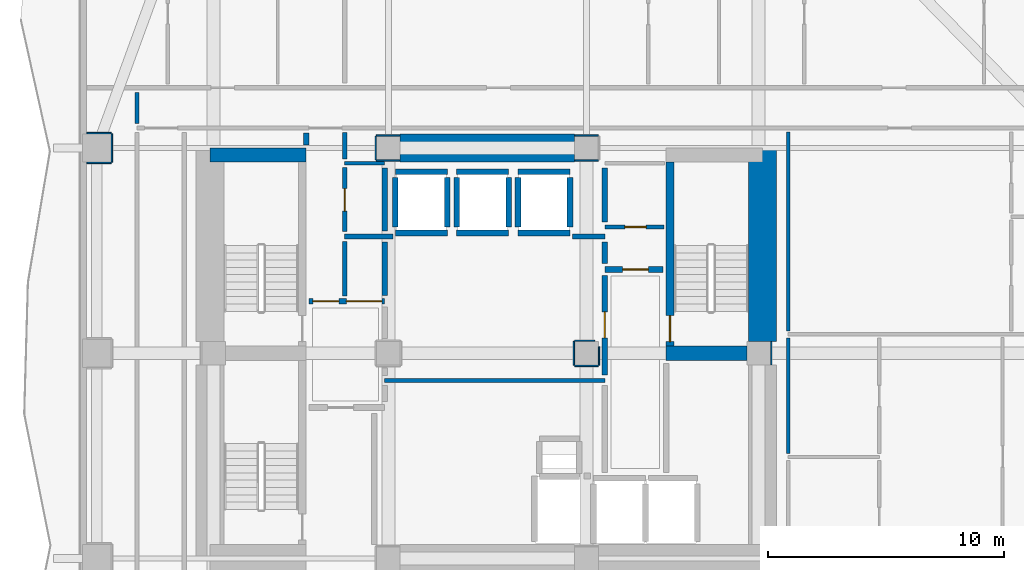
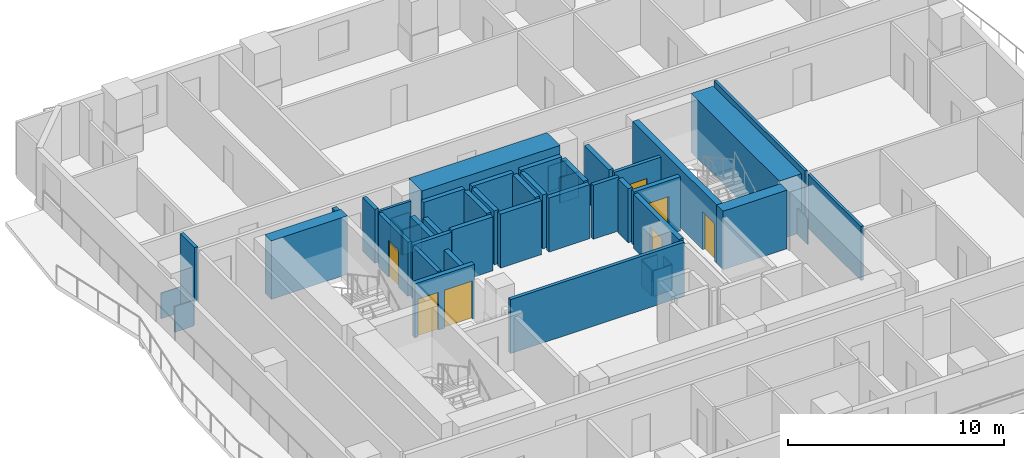
# One storey, part 4 of 11: 49 walls, 7 doors, 7 openings.
"""IFC4 building model written with IfcOpenShell, lengths in metres."""

from ifc_helpers import new_model, si_unit, direction, frame, frame_2d, origin, place, context, subcontext, project, spatial, rectangle, extrude, material, layer, layer_set, type_object, element, fill, save


model = new_model("IFC4")

# Units and contexts
model_context = context("Model", 3, precision=1e-05, world=origin(), true_north=direction((0.0, 1.0)))
body_context = subcontext(model_context, "Body", "Model", "MODEL_VIEW")
ifc_project = project(units=[si_unit("LENGTHUNIT", "METRE"), si_unit("AREAUNIT", "SQUARE_METRE"), si_unit("VOLUMEUNIT", "CUBIC_METRE"), si_unit("PLANEANGLEUNIT", "RADIAN"), si_unit("MASSUNIT", "GRAM", prefix="KILO")], contexts=[model_context])

# Site, building, storey
site_placement = place(None, origin())
site = spatial("IfcSite", under=ifc_project, at=site_placement, CompositionType="ELEMENT")
building_placement = place(site_placement, origin())
building = spatial("IfcBuilding", under=site, at=building_placement, Name="Solanera Arch Residences", CompositionType="ELEMENT")
storey_placement = place(building_placement, frame((0.0, 0.0, 65.159912109375)))
storey = spatial("IfcBuildingStorey", under=building, at=storey_placement, Name="L18", CompositionType="ELEMENT", Elevation=65.159912109375)

# Walls
ifc_material_1 = material(Name="Fire-Rated Gypsum Stud Partition", Category="gypsum")
ifc_layer_1 = layer(ifc_material_1, 0.06005859375)
ifc_layer_set_1 = layer_set([ifc_layer_1], Name="Fire-Rated Gypsum Stud Partition")
wall_type_1 = type_object("IfcWallType", Name="Column Acoustic Furring Wall 60", PredefinedType="PARTITIONING", material=ifc_layer_set_1)
for number, where, z_axis, x_axis, name in (
    (1, (20.300048828125, 38.867919921875, 0.0), (0.0, 0.0, 1.0), (1.0, 0.0, 0.0), "L18 Column Furring 3S"),
    (2, (20.300048828125, 39.931884765625, 0.0), (0.0, 0.0, 1.0), (1.0, 0.0, 0.0), "L18 Column Furring 3N"),
):
    element("IfcWall", number, at=place(storey_placement, frame(where, z_axis=z_axis, x_axis=x_axis)), inside=storey, type_object=wall_type_1, Name=name, PredefinedType="PARTITIONING", context=body_context, shape_type="SweptSolid", body=[
        extrude(rectangle(XDim=0.989990234375, YDim=0.06005859375, at=frame_2d((0.4951171875, 0.0))), origin(), (0.0, 0.0, 1.0), 1.4501953125),
    ])
wall_1_placement = place(storey_placement, frame((20.26806640625, 38.89990234375, 0.0), z_axis=(0.0, 0.0, 1.0), x_axis=(0.0, 1.0, 0.0)))
element("IfcWall", 3, at=wall_1_placement, inside=storey, type_object=wall_type_1, Name="L18 Column Furring 3W", PredefinedType="PARTITIONING", context=body_context, shape_type="SweptSolid", body=[
    extrude(rectangle(XDim=1.0, YDim=0.06005859375, at=frame_2d((0.5, 0.0))), origin(), (0.0, 0.0, 1.0), 1.4501953125),
])
for number, where, z_axis, x_axis, name in (
    (4, (28.7099609375, 38.867919921875, 0.0), (0.0, 0.0, 1.0), (1.0, 0.0, 0.0), "L18 Column Furring 4S"),
    (5, (28.7099609375, 39.931884765625, 0.0), (0.0, 0.0, 1.0), (1.0, 0.0, 0.0), "L18 Column Furring 4N"),
):
    element("IfcWall", number, at=place(storey_placement, frame(where, z_axis=z_axis, x_axis=x_axis)), inside=storey, type_object=wall_type_1, Name=name, PredefinedType="PARTITIONING", context=body_context, shape_type="SweptSolid", body=[
        extrude(rectangle(XDim=0.989990234375, YDim=0.06005859375, at=frame_2d((0.4951171875, 0.0))), origin(), (0.0, 0.0, 1.0), 1.4501953125),
    ])
wall_2_placement = place(storey_placement, frame((37.031982421875, 30.2099609375, 0.0), z_axis=(0.0, 0.0, 1.0), x_axis=(0.0, 1.0, 0.0)))
element("IfcWall", 6, at=wall_2_placement, inside=storey, type_object=wall_type_1, Name="L18 Column Furring 6E", PredefinedType="PARTITIONING", context=body_context, shape_type="SweptSolid", body=[
    extrude(rectangle(XDim=0.97998046875, YDim=0.06005859375, at=frame_2d((0.489990234375, 0.0))), origin(), (0.0, 0.0, 1.0), 1.4501953125),
])
wall_3_placement = place(storey_placement, frame((28.699951171875, 30.16796875, 0.0), z_axis=(0.0, 0.0, 1.0), x_axis=(1.0, 0.0, 0.0)))
element("IfcWall", 7, at=wall_3_placement, inside=storey, type_object=wall_type_1, Name="L18 Column Furring 8S", PredefinedType="PARTITIONING", context=body_context, shape_type="SweptSolid", body=[
    extrude(rectangle(XDim=1.0, YDim=0.06005859375, at=frame_2d((0.5, 0.0))), origin(), (0.0, 0.0, 1.0), 1.4501953125),
])
wall_4_placement = place(storey_placement, frame((28.699951171875, 31.23193359375, 0.0), z_axis=(0.0, 0.0, 1.0), x_axis=(1.0, 0.0, 0.0)))
element("IfcWall", 8, at=wall_4_placement, inside=storey, type_object=wall_type_1, Name="L18 Column Furring 8N", PredefinedType="PARTITIONING", context=body_context, shape_type="SweptSolid", body=[
    extrude(rectangle(XDim=0.841064453125, YDim=0.06005859375, at=frame_2d((0.42041015625, 0.0))), origin(), (0.0, 0.0, 1.0), 1.4501953125),
])
wall_5_placement = place(storey_placement, frame((28.66796875, 30.199951171875, 0.0), z_axis=(0.0, 0.0, 1.0), x_axis=(0.0, 1.0, 0.0)))
element("IfcWall", 9, at=wall_5_placement, inside=storey, type_object=wall_type_1, Name="L18 Column Furring 8W", PredefinedType="PARTITIONING", context=body_context, shape_type="SweptSolid", body=[
    extrude(rectangle(XDim=1.0, YDim=0.06005859375, at=frame_2d((0.5, 0.0))), origin(), (0.0, 0.0, 1.0), 1.4501953125),
])
wall_6_placement = place(storey_placement, frame((29.73193359375, 30.199951171875, 0.0), z_axis=(0.0, 0.0, 1.0), x_axis=(0.0, 1.0, 0.0)))
element("IfcWall", 10, at=wall_6_placement, inside=storey, type_object=wall_type_1, Name="L18 Column Furring 8E", PredefinedType="PARTITIONING", context=body_context, shape_type="SweptSolid", body=[
    extrude(rectangle(XDim=0.77197265625, YDim=0.06005859375, at=frame_2d((0.385986328125, 0.0))), origin(), (0.0, 0.0, 1.0), 1.4501953125),
])
for number, where, z_axis, x_axis, name in (
    (11, (8.030029296875, 38.76806640625, 0.0), (0.0, 0.0, 1.0), (1.0, 0.0, 0.0), "L18 Column Furring 21S"),
    (12, (8.030029296875, 40.031982421875, 0.0), (0.0, 0.0, 1.0), (1.0, 0.0, 0.0), "L18 Column Furring 21N"),
):
    element("IfcWall", number, at=place(storey_placement, frame(where, z_axis=z_axis, x_axis=x_axis)), inside=storey, type_object=wall_type_1, Name=name, PredefinedType="PARTITIONING", context=body_context, shape_type="SweptSolid", body=[
        extrude(rectangle(XDim=1.02001953125, YDim=0.06005859375, at=frame_2d((0.510009765625, 0.0))), origin(), (0.0, 0.0, 1.0), 1.4501953125),
    ])
wall_7_placement = place(storey_placement, frame((9.08203125, 38.800048828125, 0.0), z_axis=(0.0, 0.0, 1.0), x_axis=(0.0, 1.0, 0.0)))
element("IfcWall", 13, at=wall_7_placement, inside=storey, type_object=wall_type_1, Name="L18 Column Furring 21E", PredefinedType="PARTITIONING", context=body_context, shape_type="SweptSolid", body=[
    extrude(rectangle(XDim=1.199951171875, YDim=0.06005859375, at=frame_2d((0.60009765625, 0.0))), origin(), (0.0, 0.0, 1.0), 1.4501953125),
])
ifc_material_2 = material(Name="Concrete C55/67 (f'c = 60 MPa)", Category="concrete")
ifc_layer_2 = layer(ifc_material_2, 1.199951171875)
ifc_layer_set_2 = layer_set([ifc_layer_2], Name="Concrete C55/67 (f'c = 60 MPa)")
wall_type_2 = type_object("IfcWallType", Name="Core Shear Wall CW-1200", PredefinedType="SHEAR", material=ifc_layer_set_2)
wall_8_placement = place(storey_placement, frame((36.659912109375, 31.205078125, 0.0), z_axis=(0.0, 0.0, 1.0), x_axis=(0.0, 1.0, 0.0)))
element("IfcWall", 14, at=wall_8_placement, inside=storey, type_object=wall_type_2, Name="L18 East Core North Shear Wall", PredefinedType="SHEAR", context=body_context, shape_type="SweptSolid", body=[
    extrude(rectangle(XDim=8.19482421875, YDim=1.199951171875, at=frame_2d((4.097412109375, 0.0))), origin(), (0.0, 0.0, 1.0), 3.320068359375),
])
wall_9_placement = place(storey_placement, frame((21.304931640625, 39.39990234375, 0.0), z_axis=(0.0, 0.0, 1.0), x_axis=(1.0, 0.0, 0.0)))
element("IfcWall", 15, at=wall_9_placement, inside=storey, type_object=wall_type_2, Name="L18 Central North Core Shear Wall", PredefinedType="SHEAR", context=body_context, shape_type="SweptSolid", body=[
    extrude(rectangle(XDim=7.39013671875, YDim=1.199951171875, at=frame_2d((3.695068359375, 0.0))), origin(), (0.0, 0.0, 1.0), 3.320068359375),
])

# Wall, opening, door
ifc_material_3 = material(Name="Concrete C40/50 (f'c = 45 MPa)", Category="concrete")
ifc_layer_3 = layer(ifc_material_3, 0.320068359375)
ifc_layer_set_3 = layer_set([ifc_layer_3], Name="Concrete C40/50 (f'c = 45 MPa)")
wall_type_3 = type_object("IfcWallType", Name="Core Shear Wall CW-320", PredefinedType="SHEAR", material=ifc_layer_set_3)
wall_10_placement = place(storey_placement, frame((32.739990234375, 31.0, 0.0), z_axis=(0.0, 0.0, 1.0), x_axis=(0.0, 1.0, 0.0)))
wall_10 = element("IfcWall", 16, at=wall_10_placement, inside=storey, type_object=wall_type_3, Name="L18 Stair ST-T2 West Shear Wall", PredefinedType="SHEAR", context=body_context, shape_type="SweptSolid", body=[
    extrude(rectangle(XDim=7.800048828125, YDim=0.320068359375, at=frame_2d((3.89990234375, 0.0))), origin(), (0.0, 0.0, 1.0), 3.320068359375),
])
opening_1_placement = place(wall_10_placement, frame((0.18994140625, 0.0, 0.0)))
opening_1 = element("IfcOpeningElement", 17, at=opening_1_placement, cuts=wall_10, Name="Opening DF-01", PredefinedType="OPENING", context=body_context, shape_type="SweptSolid", body=[
    extrude(rectangle(XDim=1.10009765625, YDim=2.14990234375, at=frame_2d((0.550048828125, 1.074951171875))), frame((0.0, 0.169921875, 0.0), z_axis=(0.0, -1.0, 0.0), x_axis=(1.0, 0.0, 0.0)), (0.0, 0.0, 1.0), 0.3401),
])
ifc_material_4 = material(Name="Fire-Rated Architectural Hardwood", Category="wood")
door_type_1 = type_object("IfcDoorType", Name="Stair Exit Fire Door DF-01", OperationType="NOTDEFINED", PredefinedType="DOOR", material=ifc_material_4)
door_1_placement = place(opening_1_placement, origin())
door_1 = element("IfcDoor", 18, at=door_1_placement, inside=storey, type_object=door_type_1, Name="DR-L18-STAIR-ST-T2", OperationType="SINGLE_SWING_RIGHT", OverallHeight=2.14990234375, OverallWidth=1.10009765625, PredefinedType="DOOR", context=body_context, shape_type="SweptSolid", body=[
    extrude(rectangle(XDim=1.10009765625, YDim=2.14990234375, at=frame_2d((0.550048828125, 1.074951171875))), frame((0.0, 0.02490234375, 0.0), z_axis=(0.0, -1.0, 0.0), x_axis=(1.0, 0.0, 0.0)), (0.0, 0.0, 1.0), 0.050048828125),
])
fill(opening_1, door_1)

# Walls
ifc_material_5 = material(Name="Concrete C40/50 (f'c = 45 MPa)", Category="concrete")
ifc_layer_4 = layer(ifc_material_5, 0.60009765625)
ifc_layer_set_4 = layer_set([ifc_layer_4], Name="Concrete C40/50 (f'c = 45 MPa)")
wall_type_4 = type_object("IfcWallType", Name="Core Shear Wall CW-600", PredefinedType="SHEAR", material=ifc_layer_set_4)
wall_11_placement = place(storey_placement, frame((13.239990234375, 39.10009765625, 0.0), z_axis=(0.0, 0.0, 1.0), x_axis=(1.0, 0.0, 0.0)))
element("IfcWall", 19, at=wall_11_placement, inside=storey, type_object=wall_type_4, Name="L18 North-West Core Shear Wall", PredefinedType="SHEAR", context=body_context, shape_type="SweptSolid", body=[
    extrude(rectangle(XDim=4.080078125, YDim=0.60009765625, at=frame_2d((2.0400390625, 0.0))), origin(), (0.0, 0.0, 1.0), 3.320068359375),
])
wall_12_placement = place(storey_placement, frame((32.580078125, 30.699951171875, 0.0), z_axis=(0.0, 0.0, 1.0), x_axis=(1.0, 0.0, 0.0)))
element("IfcWall", 20, at=wall_12_placement, inside=storey, type_object=wall_type_4, Name="L18 East Stair Far-Landing Shear Wall", PredefinedType="SHEAR", context=body_context, shape_type="SweptSolid", body=[
    extrude(rectangle(XDim=3.4150390625, YDim=0.60009765625, at=frame_2d((1.70751953125, 0.0))), origin(), (0.0, 0.0, 1.0), 3.320068359375),
])
ifc_material_6 = material(Name="Autoclaved Aerated Concrete Blockwork", Category="masonry")
ifc_layer_5 = layer(ifc_material_6, 0.179931640625)
ifc_layer_set_5 = layer_set([ifc_layer_5], Name="Autoclaved Aerated Concrete Blockwork")
wall_type_5 = type_object("IfcWallType", Name="Corridor Fire Partition 180", PredefinedType="PARTITIONING", material=ifc_layer_set_5)
wall_13_placement = place(storey_placement, frame((20.64990234375, 29.550048828125, 0.0), z_axis=(0.0, 0.0, 1.0), x_axis=(1.0, 0.0, 0.0)))
element("IfcWall", 21, at=wall_13_placement, inside=storey, type_object=wall_type_5, Name="L18 Interior Partition H8", PredefinedType="PARTITIONING", context=body_context, shape_type="SweptSolid", body=[
    extrude(rectangle(XDim=9.3251953125, YDim=0.179931640625, at=frame_2d((4.66259765625, 0.0))), origin(), (0.0, 0.0, 1.0), 3.06005859375),
])

# Wall, opening, door
wall_14_placement = place(storey_placement, frame((29.97509765625, 36.050048828125, 0.0), z_axis=(0.0, 0.0, 1.0), x_axis=(1.0, 0.0, 0.0)))
wall_14 = element("IfcWall", 22, at=wall_14_placement, inside=storey, type_object=wall_type_5, Name="L18 Interior Partition H9", PredefinedType="PARTITIONING", context=body_context, shape_type="SweptSolid", body=[
    extrude(rectangle(XDim=2.5048828125, YDim=0.179931640625, at=frame_2d((1.25244140625, 0.0))), origin(), (0.0, 0.0, 1.0), 3.06005859375),
])
opening_2_placement = place(wall_14_placement, frame((0.85205078125, 0.0, 0.0)))
opening_2 = element("IfcOpeningElement", 23, at=opening_2_placement, cuts=wall_14, Name="Opening DI-02", PredefinedType="OPENING", context=body_context, shape_type="SweptSolid", body=[
    extrude(rectangle(XDim=0.89990234375, YDim=2.10009765625, at=frame_2d((0.449951171875, 1.050048828125))), frame((0.0, 0.10009765625, 0.0), z_axis=(0.0, -1.0, 0.0), x_axis=(1.0, 0.0, 0.0)), (0.0, 0.0, 1.0), 0.1999),
])
ifc_material_7 = material(Name="Fire-Rated Architectural Hardwood", Category="wood")
door_type_2 = type_object("IfcDoorType", Name="Suite Room Swing Door DI-02", OperationType="NOTDEFINED", PredefinedType="DOOR", material=ifc_material_7)
door_2_placement = place(opening_2_placement, origin())
door_2 = element("IfcDoor", 24, at=door_2_placement, inside=storey, type_object=door_type_2, Name="DR-L18-IN-013", OperationType="SINGLE_SWING_LEFT", OverallHeight=2.10009765625, OverallWidth=0.89990234375, PredefinedType="DOOR", context=body_context, shape_type="SweptSolid", body=[
    extrude(rectangle(XDim=0.89990234375, YDim=2.10009765625, at=frame_2d((0.449951171875, 1.050048828125))), frame((0.0, 0.02490234375, 0.0), z_axis=(0.0, -1.0, 0.0), x_axis=(1.0, 0.0, 0.0)), (0.0, 0.0, 1.0), 0.050048828125),
])
fill(opening_2, door_2)

# Walls
wall_15_placement = place(storey_placement, frame((10.14990234375, 40.43798828125, 0.0), z_axis=(0.0, 0.0, 1.0), x_axis=(0.0, 1.0, 0.0)))
element("IfcWall", 25, at=wall_15_placement, inside=storey, type_object=wall_type_5, Name="L18 Interior Partition V9 3", PredefinedType="PARTITIONING", context=body_context, shape_type="SweptSolid", body=[
    extrude(rectangle(XDim=1.323974609375, YDim=0.179931640625, at=frame_2d((0.662109375, 0.0))), origin(), (0.0, 0.0, 1.0), 3.06005859375),
])
ifc_material_8 = material(Name="Autoclaved Aerated Concrete Blockwork", Category="masonry")
ifc_layer_6 = layer(ifc_material_8, 0.199951171875)
ifc_layer_set_6 = layer_set([ifc_layer_6], Name="Autoclaved Aerated Concrete Blockwork")
wall_type_6 = type_object("IfcWallType", Name="Party Wall Acoustic 200", PredefinedType="PARTITIONING", material=ifc_layer_set_6)
wall_16_placement = place(storey_placement, frame((18.949951171875, 35.64990234375, 0.0), z_axis=(0.0, 0.0, 1.0), x_axis=(1.0, 0.0, 0.0)))
element("IfcWall", 26, at=wall_16_placement, inside=storey, type_object=wall_type_6, Name="L18 Interior Partition H6 1", PredefinedType="PARTITIONING", context=body_context, shape_type="SweptSolid", body=[
    extrude(rectangle(XDim=2.046142578125, YDim=0.199951171875, at=frame_2d((1.02294921875, 0.0))), origin(), (0.0, 0.0, 1.0), 3.06005859375),
])
wall_17_placement = place(storey_placement, frame((28.60400390625, 35.64990234375, 0.0), z_axis=(0.0, 0.0, 1.0), x_axis=(1.0, 0.0, 0.0)))
element("IfcWall", 27, at=wall_17_placement, inside=storey, type_object=wall_type_6, Name="L18 Interior Partition H6 2", PredefinedType="PARTITIONING", context=body_context, shape_type="SweptSolid", body=[
    extrude(rectangle(XDim=1.37109375, YDim=0.199951171875, at=frame_2d((0.685546875, 0.0))), origin(), (0.0, 0.0, 1.0), 3.06005859375),
])
wall_18_placement = place(storey_placement, frame((18.949951171875, 33.1279296875, 0.0), z_axis=(0.0, 0.0, 1.0), x_axis=(0.0, 1.0, 0.0)))
element("IfcWall", 28, at=wall_18_placement, inside=storey, type_object=wall_type_6, Name="L18 Interior Partition V7 1", PredefinedType="PARTITIONING", context=body_context, shape_type="SweptSolid", body=[
    extrude(rectangle(XDim=2.31396484375, YDim=0.199951171875, at=frame_2d((1.156982421875, 0.0))), origin(), (0.0, 0.0, 1.0), 3.06005859375),
])

# Wall, opening, door
wall_19_placement = place(storey_placement, frame((18.949951171875, 35.85791015625, 0.0), z_axis=(0.0, 0.0, 1.0), x_axis=(0.0, 1.0, 0.0)))
wall_19 = element("IfcWall", 29, at=wall_19_placement, inside=storey, type_object=wall_type_6, Name="L18 Interior Partition V7 2", PredefinedType="PARTITIONING", context=body_context, shape_type="SweptSolid", body=[
    extrude(rectangle(XDim=2.714111328125, YDim=0.199951171875, at=frame_2d((1.35693359375, 0.0))), origin(), (0.0, 0.0, 1.0), 3.06005859375),
])
opening_3_placement = place(wall_19_placement, frame((0.866943359375, 0.0, 0.0)))
opening_3 = element("IfcOpeningElement", 30, at=opening_3_placement, cuts=wall_19, Name="Opening DI-04", PredefinedType="OPENING", context=body_context, shape_type="SweptSolid", body=[
    extrude(rectangle(XDim=0.949951171875, YDim=2.10009765625, at=frame_2d((0.47509765625, 1.050048828125))), frame((0.0, 0.110107421875, 0.0), z_axis=(0.0, -1.0, 0.0), x_axis=(1.0, 0.0, 0.0)), (0.0, 0.0, 1.0), 0.22),
])
ifc_material_9 = material(Name="Fire-Rated Architectural Hardwood", Category="wood")
door_type_3 = type_object("IfcDoorType", Name="Accessible Restroom Door DI-04", OperationType="NOTDEFINED", PredefinedType="DOOR", material=ifc_material_9)
door_3_placement = place(opening_3_placement, origin())
door_3 = element("IfcDoor", 31, at=door_3_placement, inside=storey, type_object=door_type_3, Name="DR-L18-IN-014", OperationType="SINGLE_SWING_RIGHT", OverallHeight=2.10009765625, OverallWidth=0.949951171875, PredefinedType="DOOR", context=body_context, shape_type="SweptSolid", body=[
    extrude(rectangle(XDim=0.949951171875, YDim=2.10009765625, at=frame_2d((0.47509765625, 1.050048828125))), frame((0.0, 0.02490234375, 0.0), z_axis=(0.0, -1.0, 0.0), x_axis=(1.0, 0.0, 0.0)), (0.0, 0.0, 1.0), 0.050048828125),
])
fill(opening_3, door_3)

# Walls
wall_20_placement = place(storey_placement, frame((18.949951171875, 38.927978515625, 0.0), z_axis=(0.0, 0.0, 1.0), x_axis=(0.0, 1.0, 0.0)))
element("IfcWall", 32, at=wall_20_placement, inside=storey, type_object=wall_type_6, Name="L18 Interior Partition V7 3", PredefinedType="PARTITIONING", context=body_context, shape_type="SweptSolid", body=[
    extrude(rectangle(XDim=1.1240234375, YDim=0.199951171875, at=frame_2d((0.56201171875, 0.0))), origin(), (0.0, 0.0, 1.0), 3.06005859375),
])
ifc_material_10 = material(Name="Autoclaved Aerated Concrete Blockwork", Category="masonry")
ifc_layer_7 = layer(ifc_material_10, 0.239990234375)
ifc_layer_set_7 = layer_set([ifc_layer_7], Name="Autoclaved Aerated Concrete Blockwork")
wall_type_7 = type_object("IfcWallType", Name="Shaft Wall Fire-Rated 240", PredefinedType="PARTITIONING", material=ifc_layer_set_7)
for number, where, z_axis, x_axis, name in (
    (33, (21.10009765625, 35.800048828125, 0.0), (0.0, 0.0, 1.0), (1.0, 0.0, 0.0), "L18 Lift PL-L1 Hoistway Wall S"),
    (34, (21.10009765625, 38.39990234375, 0.0), (0.0, 0.0, 1.0), (1.0, 0.0, 0.0), "L18 Lift PL-L1 Hoistway Wall N"),
):
    element("IfcWall", number, at=place(storey_placement, frame(where, z_axis=z_axis, x_axis=x_axis)), inside=storey, type_object=wall_type_7, Name=name, PredefinedType="PARTITIONING", context=body_context, shape_type="SweptSolid", body=[
        extrude(rectangle(XDim=2.199951171875, YDim=0.239990234375, at=frame_2d((1.10009765625, 0.0))), origin(), (0.0, 0.0, 1.0), 3.06005859375),
    ])
wall_21_placement = place(storey_placement, frame((21.10009765625, 36.048095703125, 0.0), z_axis=(0.0, 0.0, 1.0), x_axis=(0.0, 1.0, 0.0)))
element("IfcWall", 35, at=wall_21_placement, inside=storey, type_object=wall_type_7, Name="L18 Lift PL-L1 Hoistway Wall W", PredefinedType="PARTITIONING", context=body_context, shape_type="SweptSolid", body=[
    extrude(rectangle(XDim=2.10400390625, YDim=0.239990234375, at=frame_2d((1.052001953125, 0.0))), origin(), (0.0, 0.0, 1.0), 2.295166015625),
])
wall_22_placement = place(storey_placement, frame((23.300048828125, 36.048095703125, 0.0), z_axis=(0.0, 0.0, 1.0), x_axis=(0.0, 1.0, 0.0)))
element("IfcWall", 36, at=wall_22_placement, inside=storey, type_object=wall_type_7, Name="L18 Lift PL-L1 Hoistway Wall E", PredefinedType="PARTITIONING", context=body_context, shape_type="SweptSolid", body=[
    extrude(rectangle(XDim=2.10400390625, YDim=0.239990234375, at=frame_2d((1.052001953125, 0.0))), origin(), (0.0, 0.0, 1.0), 3.06005859375),
])
for number, where, z_axis, x_axis, name in (
    (37, (23.699951171875, 35.800048828125, 0.0), (0.0, 0.0, 1.0), (1.0, 0.0, 0.0), "L18 Lift PL-L2 Hoistway Wall S"),
    (38, (23.699951171875, 38.39990234375, 0.0), (0.0, 0.0, 1.0), (1.0, 0.0, 0.0), "L18 Lift PL-L2 Hoistway Wall N"),
):
    element("IfcWall", number, at=place(storey_placement, frame(where, z_axis=z_axis, x_axis=x_axis)), inside=storey, type_object=wall_type_7, Name=name, PredefinedType="PARTITIONING", context=body_context, shape_type="SweptSolid", body=[
        extrude(rectangle(XDim=2.199951171875, YDim=0.239990234375, at=frame_2d((1.10009765625, 0.0))), origin(), (0.0, 0.0, 1.0), 3.06005859375),
    ])
for number, where, z_axis, x_axis, name in (
    (39, (23.699951171875, 36.048095703125, 0.0), (0.0, 0.0, 1.0), (0.0, 1.0, 0.0), "L18 Lift PL-L2 Hoistway Wall W"),
    (40, (25.89990234375, 36.048095703125, 0.0), (0.0, 0.0, 1.0), (0.0, 1.0, 0.0), "L18 Lift PL-L2 Hoistway Wall E"),
):
    element("IfcWall", number, at=place(storey_placement, frame(where, z_axis=z_axis, x_axis=x_axis)), inside=storey, type_object=wall_type_7, Name=name, PredefinedType="PARTITIONING", context=body_context, shape_type="SweptSolid", body=[
        extrude(rectangle(XDim=2.10400390625, YDim=0.239990234375, at=frame_2d((1.052001953125, 0.0))), origin(), (0.0, 0.0, 1.0), 3.06005859375),
    ])
for number, where, z_axis, x_axis, name in (
    (41, (26.300048828125, 35.800048828125, 0.0), (0.0, 0.0, 1.0), (1.0, 0.0, 0.0), "L18 Lift PL-L3 Hoistway Wall S"),
    (42, (26.300048828125, 38.39990234375, 0.0), (0.0, 0.0, 1.0), (1.0, 0.0, 0.0), "L18 Lift PL-L3 Hoistway Wall N"),
):
    element("IfcWall", number, at=place(storey_placement, frame(where, z_axis=z_axis, x_axis=x_axis)), inside=storey, type_object=wall_type_7, Name=name, PredefinedType="PARTITIONING", context=body_context, shape_type="SweptSolid", body=[
        extrude(rectangle(XDim=2.199951171875, YDim=0.239990234375, at=frame_2d((1.10009765625, 0.0))), origin(), (0.0, 0.0, 1.0), 3.06005859375),
    ])
for number, where, z_axis, x_axis, name in (
    (43, (26.300048828125, 36.048095703125, 0.0), (0.0, 0.0, 1.0), (0.0, 1.0, 0.0), "L18 Lift PL-L3 Hoistway Wall W"),
    (44, (28.5, 36.048095703125, 0.0), (0.0, 0.0, 1.0), (0.0, 1.0, 0.0), "L18 Lift PL-L3 Hoistway Wall E"),
):
    element("IfcWall", number, at=place(storey_placement, frame(where, z_axis=z_axis, x_axis=x_axis)), inside=storey, type_object=wall_type_7, Name=name, PredefinedType="PARTITIONING", context=body_context, shape_type="SweptSolid", body=[
        extrude(rectangle(XDim=2.10400390625, YDim=0.239990234375, at=frame_2d((1.052001953125, 0.0))), origin(), (0.0, 0.0, 1.0), 3.06005859375),
    ])

# Wall, openings, doors
wall_23_placement = place(storey_placement, frame((17.449951171875, 32.89990234375, 0.0), z_axis=(0.0, 0.0, 1.0), x_axis=(1.0, 0.0, 0.0)))
wall_23 = element("IfcWall", 45, at=wall_23_placement, inside=storey, type_object=wall_type_7, Name="L18 Interior Partition H4", PredefinedType="PARTITIONING", context=body_context, shape_type="SweptSolid", body=[
    extrude(rectangle(XDim=3.199951171875, YDim=0.239990234375, at=frame_2d((1.60009765625, 0.0))), origin(), (0.0, 0.0, 1.0), 3.06005859375),
])
opening_4_placement = place(wall_23_placement, frame((0.158935546875, 0.0, 0.0)))
opening_4 = element("IfcOpeningElement", 46, at=opening_4_placement, cuts=wall_23, Name="Opening DF-02", PredefinedType="OPENING", context=body_context, shape_type="SweptSolid", body=[
    extrude(rectangle(XDim=1.10009765625, YDim=2.14990234375, at=frame_2d((0.550048828125, 1.074951171875))), frame((0.0, 0.1298828125, 0.0), z_axis=(0.0, -1.0, 0.0), x_axis=(1.0, 0.0, 0.0)), (0.0, 0.0, 1.0), 0.26),
])
opening_5_placement = place(wall_23_placement, frame((1.575927734375, 0.0, 0.0)))
opening_5 = element("IfcOpeningElement", 47, at=opening_5_placement, cuts=wall_23, Name="Opening DP-01", PredefinedType="OPENING", context=body_context, shape_type="SweptSolid", body=[
    extrude(rectangle(XDim=1.5, YDim=2.14990234375, at=frame_2d((0.75, 1.074951171875))), frame((0.0, 0.1298828125, 0.0), z_axis=(0.0, -1.0, 0.0), x_axis=(1.0, 0.0, 0.0)), (0.0, 0.0, 1.0), 0.26),
])
ifc_material_11 = material(Name="Fire-Rated Architectural Hardwood", Category="wood")
door_type_4 = type_object("IfcDoorType", Name="Firefighting Lobby Fire Door DF-02", OperationType="NOTDEFINED", PredefinedType="DOOR", material=ifc_material_11)
door_4_placement = place(opening_4_placement, origin())
door_4 = element("IfcDoor", 48, at=door_4_placement, inside=storey, type_object=door_type_4, Name="DR-L18-IN-005", OperationType="SINGLE_SWING_LEFT", OverallHeight=2.14990234375, OverallWidth=1.10009765625, PredefinedType="DOOR", context=body_context, shape_type="SweptSolid", body=[
    extrude(rectangle(XDim=1.10009765625, YDim=2.14990234375, at=frame_2d((0.550048828125, 1.074951171875))), frame((0.0, 0.02490234375, 0.0), z_axis=(0.0, -1.0, 0.0), x_axis=(1.0, 0.0, 0.0)), (0.0, 0.0, 1.0), 0.050048828125),
])
fill(opening_4, door_4)
ifc_material_12 = material(Name="Fire-Rated Architectural Hardwood", Category="wood")
door_type_5 = type_object("IfcDoorType", Name="Plant Double Fire Door DP-01", OperationType="NOTDEFINED", PredefinedType="DOOR", material=ifc_material_12)
door_5_placement = place(opening_5_placement, origin())
door_5 = element("IfcDoor", 49, at=door_5_placement, inside=storey, type_object=door_type_5, Name="DR-L18-IN-012", OperationType="SINGLE_SWING_RIGHT", OverallHeight=2.14990234375, OverallWidth=1.5, PredefinedType="DOOR", context=body_context, shape_type="SweptSolid", body=[
    extrude(rectangle(XDim=1.5, YDim=2.14990234375, at=frame_2d((0.75, 1.074951171875))), frame((0.0, 0.02490234375, 0.0), z_axis=(0.0, -1.0, 0.0), x_axis=(1.0, 0.0, 0.0)), (0.0, 0.0, 1.0), 0.050048828125),
])
fill(opening_5, door_5)

# Wall, opening, door
wall_24_placement = place(storey_placement, frame((29.97509765625, 34.25, 0.0), z_axis=(0.0, 0.0, 1.0), x_axis=(1.0, 0.0, 0.0)))
wall_24 = element("IfcWall", 50, at=wall_24_placement, inside=storey, type_object=wall_type_7, Name="L18 Interior Partition H5", PredefinedType="PARTITIONING", context=body_context, shape_type="SweptSolid", body=[
    extrude(rectangle(XDim=2.474853515625, YDim=0.239990234375, at=frame_2d((1.2373046875, 0.0))), origin(), (0.0, 0.0, 1.0), 3.06005859375),
])
opening_6_placement = place(wall_24_placement, frame((0.751953125, 0.0, 0.0)))
opening_6 = element("IfcOpeningElement", 51, at=opening_6_placement, cuts=wall_24, Name="Opening DF-02", PredefinedType="OPENING", context=body_context, shape_type="SweptSolid", body=[
    extrude(rectangle(XDim=1.10009765625, YDim=2.14990234375, at=frame_2d((0.550048828125, 1.074951171875))), frame((0.0, 0.1298828125, 0.0), z_axis=(0.0, -1.0, 0.0), x_axis=(1.0, 0.0, 0.0)), (0.0, 0.0, 1.0), 0.26),
])
door_6_placement = place(opening_6_placement, origin())
door_6 = element("IfcDoor", 52, at=door_6_placement, inside=storey, type_object=door_type_4, Name="DR-L18-IN-007", OperationType="SINGLE_SWING_LEFT", OverallHeight=2.14990234375, OverallWidth=1.10009765625, PredefinedType="DOOR", context=body_context, shape_type="SweptSolid", body=[
    extrude(rectangle(XDim=1.10009765625, YDim=2.14990234375, at=frame_2d((0.550048828125, 1.074951171875))), frame((0.0, 0.02490234375, 0.0), z_axis=(0.0, -1.0, 0.0), x_axis=(1.0, 0.0, 0.0)), (0.0, 0.0, 1.0), 0.050048828125),
])
fill(opening_6, door_6)

# Walls
wall_25_placement = place(storey_placement, frame((17.320068359375, 39.530029296875, 0.0), z_axis=(0.0, 0.0, 1.0), x_axis=(0.0, 1.0, 0.0)))
element("IfcWall", 53, at=wall_25_placement, inside=storey, type_object=wall_type_7, Name="L18 Interior Partition V1", PredefinedType="PARTITIONING", context=body_context, shape_type="SweptSolid", body=[
    extrude(rectangle(XDim=0.501953125, YDim=0.239990234375, at=frame_2d((0.2509765625, 0.0))), origin(), (0.0, 0.0, 1.0), 3.06005859375),
])
wall_26_placement = place(storey_placement, frame((20.64990234375, 33.14794921875, 0.0), z_axis=(0.0, 0.0, 1.0), x_axis=(0.0, 1.0, 0.0)))
element("IfcWall", 54, at=wall_26_placement, inside=storey, type_object=wall_type_7, Name="L18 Interior Partition V3 4", PredefinedType="PARTITIONING", context=body_context, shape_type="SweptSolid", body=[
    extrude(rectangle(XDim=2.274169921875, YDim=0.239990234375, at=frame_2d((1.13720703125, 0.0))), origin(), (0.0, 0.0, 1.0), 2.295166015625),
])
wall_27_placement = place(storey_placement, frame((20.64990234375, 35.8779296875, 0.0), z_axis=(0.0, 0.0, 1.0), x_axis=(0.0, 1.0, 0.0)))
element("IfcWall", 55, at=wall_27_placement, inside=storey, type_object=wall_type_7, Name="L18 Interior Partition V3 5", PredefinedType="PARTITIONING", context=body_context, shape_type="SweptSolid", body=[
    extrude(rectangle(XDim=2.674072265625, YDim=0.239990234375, at=frame_2d((1.3369140625, 0.0))), origin(), (0.0, 0.0, 1.0), 2.295166015625),
])

# Wall, opening, door
wall_28_placement = place(storey_placement, frame((29.97509765625, 29.76806640625, 0.0), z_axis=(0.0, 0.0, 1.0), x_axis=(0.0, 1.0, 0.0)))
wall_28 = element("IfcWall", 56, at=wall_28_placement, inside=storey, type_object=wall_type_7, Name="L18 Interior Partition V4 2", PredefinedType="PARTITIONING", context=body_context, shape_type="SweptSolid", body=[
    extrude(rectangle(XDim=4.23388671875, YDim=0.239990234375, at=frame_2d((2.116943359375, 0.0))), origin(), (0.0, 0.0, 1.0), 3.06005859375),
])
opening_7_placement = place(wall_28_placement, frame((1.58203125, 0.0, 0.0)))
opening_7 = element("IfcOpeningElement", 57, at=opening_7_placement, cuts=wall_28, Name="Opening DF-02", PredefinedType="OPENING", context=body_context, shape_type="SweptSolid", body=[
    extrude(rectangle(XDim=1.10009765625, YDim=2.14990234375, at=frame_2d((0.550048828125, 1.074951171875))), frame((0.0, 0.1298828125, 0.0), z_axis=(0.0, -1.0, 0.0), x_axis=(1.0, 0.0, 0.0)), (0.0, 0.0, 1.0), 0.26),
])
door_7_placement = place(opening_7_placement, origin())
door_7 = element("IfcDoor", 58, at=door_7_placement, inside=storey, type_object=door_type_4, Name="DR-L18-IN-006", OperationType="SINGLE_SWING_RIGHT", OverallHeight=2.14990234375, OverallWidth=1.10009765625, PredefinedType="DOOR", context=body_context, shape_type="SweptSolid", body=[
    extrude(rectangle(XDim=1.10009765625, YDim=2.14990234375, at=frame_2d((0.550048828125, 1.074951171875))), frame((0.0, 0.02490234375, 0.0), z_axis=(0.0, -1.0, 0.0), x_axis=(1.0, 0.0, 0.0)), (0.0, 0.0, 1.0), 0.050048828125),
])
fill(opening_7, door_7)

# Walls
wall_29_placement = place(storey_placement, frame((29.97509765625, 34.498046875, 0.0), z_axis=(0.0, 0.0, 1.0), x_axis=(0.0, 1.0, 0.0)))
element("IfcWall", 59, at=wall_29_placement, inside=storey, type_object=wall_type_7, Name="L18 Interior Partition V4 3", PredefinedType="PARTITIONING", context=body_context, shape_type="SweptSolid", body=[
    extrude(rectangle(XDim=0.924072265625, YDim=0.239990234375, at=frame_2d((0.4619140625, 0.0))), origin(), (0.0, 0.0, 1.0), 3.06005859375),
])
wall_30_placement = place(storey_placement, frame((29.97509765625, 36.26806640625, 0.0), z_axis=(0.0, 0.0, 1.0), x_axis=(0.0, 1.0, 0.0)))
element("IfcWall", 60, at=wall_30_placement, inside=storey, type_object=wall_type_7, Name="L18 Interior Partition V4 4", PredefinedType="PARTITIONING", context=body_context, shape_type="SweptSolid", body=[
    extrude(rectangle(XDim=2.283935546875, YDim=0.239990234375, at=frame_2d((1.14208984375, 0.0))), origin(), (0.0, 0.0, 1.0), 3.06005859375),
])
ifc_material_13 = material(Name="Autoclaved Aerated Concrete Blockwork", Category="masonry")
ifc_layer_8 = layer(ifc_material_13, 0.139892578125)
ifc_layer_set_8 = layer_set([ifc_layer_8], Name="Autoclaved Aerated Concrete Blockwork")
wall_type_8 = type_object("IfcWallType", Name="Wet-Room Partition 140", PredefinedType="PARTITIONING", material=ifc_layer_set_8)
wall_31_placement = place(storey_placement, frame((18.949951171875, 38.75, 0.0), z_axis=(0.0, 0.0, 1.0), x_axis=(1.0, 0.0, 0.0)))
element("IfcWall", 61, at=wall_31_placement, inside=storey, type_object=wall_type_8, Name="L18 Interior Partition H19", PredefinedType="PARTITIONING", context=body_context, shape_type="SweptSolid", body=[
    extrude(rectangle(XDim=1.699951171875, YDim=0.139892578125, at=frame_2d((0.85009765625, 0.0))), origin(), (0.0, 0.0, 1.0), 3.06005859375),
])
wall_32_placement = place(storey_placement, frame((37.75, 26.447998046875, 0.0), z_axis=(0.0, 0.0, 1.0), x_axis=(0.0, 1.0, 0.0)))
element("IfcWall", 62, at=wall_32_placement, inside=storey, type_object=wall_type_8, Name="L18 Interior Partition V22 2", PredefinedType="PARTITIONING", context=body_context, shape_type="SweptSolid", body=[
    extrude(rectangle(XDim=4.904052734375, YDim=0.139892578125, at=frame_2d((2.4521484375, 0.0))), origin(), (0.0, 0.0, 1.0), 3.06005859375),
])
wall_33_placement = place(storey_placement, frame((37.75, 31.64794921875, 0.0), z_axis=(0.0, 0.0, 1.0), x_axis=(0.0, 1.0, 0.0)))
element("IfcWall", 63, at=wall_33_placement, inside=storey, type_object=wall_type_8, Name="L18 Interior Partition V22 3", PredefinedType="PARTITIONING", context=body_context, shape_type="SweptSolid", body=[
    extrude(rectangle(XDim=8.43408203125, YDim=0.139892578125, at=frame_2d((4.217041015625, 0.0))), origin(), (0.0, 0.0, 1.0), 3.06005859375),
])

save(model, "model.ifc")
